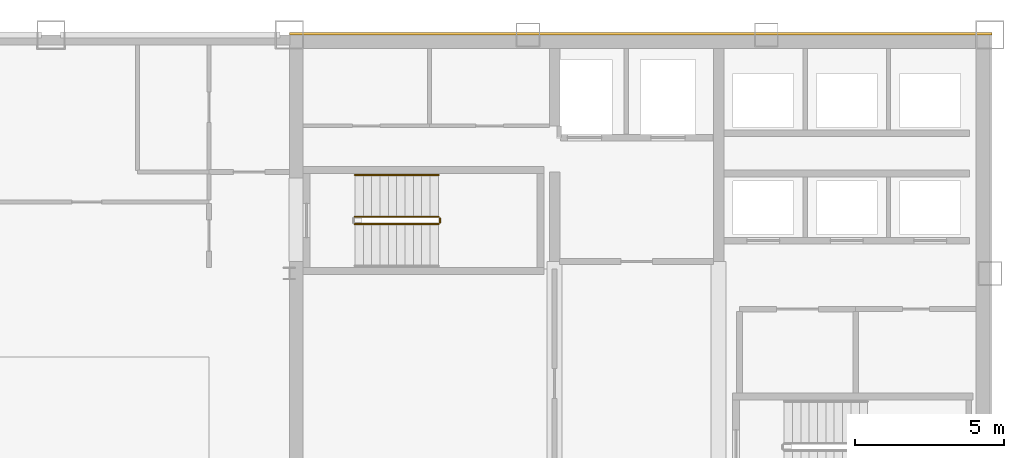
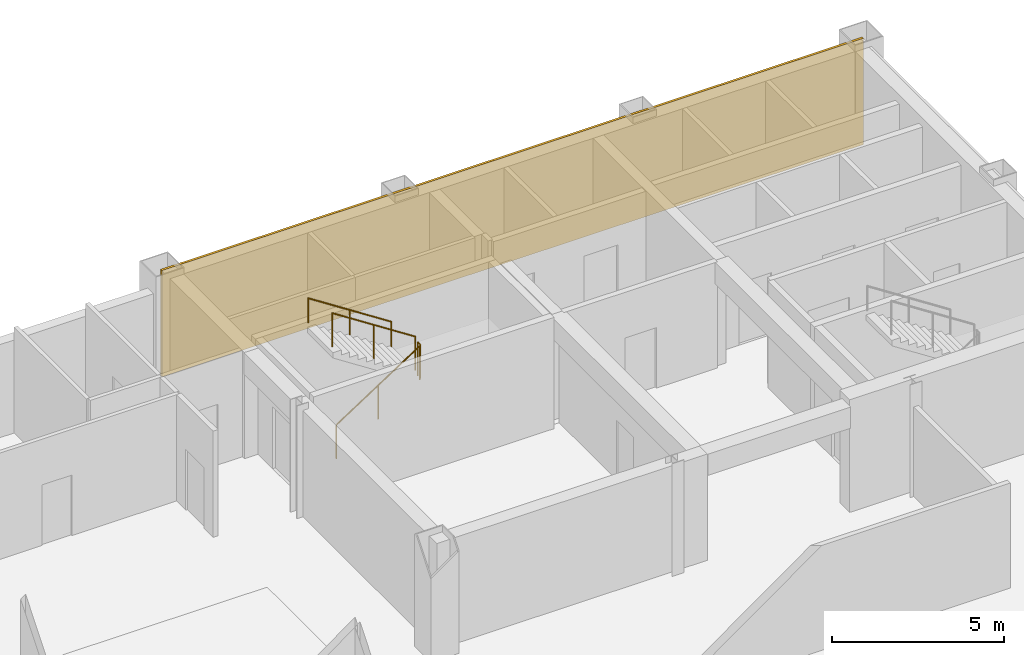
# One storey, part 10 of 10: 4 railings, 1 covering.
"""IFC4 building model written with IfcOpenShell, lengths in metres."""

from ifc_helpers import new_model, si_unit, direction, frame, origin, origin_2d, place, context, subcontext, project, spatial, rectangle, circle, extrude, material, layer, layer_set, type_object, element, save


model = new_model("IFC4")

# Units and contexts
model_context = context("Model", 3, precision=1e-05, world=origin(), true_north=direction((0.0, 1.0)))
body_context = subcontext(model_context, "Body", "Model", "MODEL_VIEW")
ifc_project = project(units=[si_unit("LENGTHUNIT", "METRE"), si_unit("AREAUNIT", "SQUARE_METRE"), si_unit("VOLUMEUNIT", "CUBIC_METRE"), si_unit("PLANEANGLEUNIT", "RADIAN"), si_unit("MASSUNIT", "GRAM", prefix="KILO")], contexts=[model_context])

# Site, building, storey
site_placement = place(None, origin())
site = spatial("IfcSite", under=ifc_project, at=site_placement, CompositionType="ELEMENT")
building_placement = place(site_placement, origin())
building = spatial("IfcBuilding", under=site, at=building_placement, Name="Qianrong Seaharbour Tower", CompositionType="ELEMENT")
storey_placement = place(building_placement, frame((0.0, 0.0, 217.800048828125)))
storey = spatial("IfcBuildingStorey", under=building, at=storey_placement, Name="L52", CompositionType="ELEMENT", Elevation=217.800048828125)

# Covering
ifc_material_1 = material(Name="Unitised red brick cladding on Precast concrete C45/55", Category="masonry")
ifc_layer = layer(ifc_material_1, 0.080078125)
ifc_layer_set = layer_set([ifc_layer], Name="Unitised red brick cladding on Precast concrete C45/55")
covering_type = type_object("IfcCoveringType", Name="COV-CLAD-RED-BRICK-80", PredefinedType="CLADDING", material=ifc_layer_set)
covering_placement = place(storey_placement, frame((52.2900390625, 52.0400390625, 0.0), z_axis=(0.0, 0.0, 1.0), x_axis=(1.0, 0.0, 0.0)))
element("IfcCovering", 1, at=covering_placement, inside=storey, type_object=covering_type, Name="L52 North Core Brick Veneer Cladding", PredefinedType="CLADDING", context=body_context, shape_type="SweptSolid", body=[
    extrude(rectangle(XDim=23.580078125, YDim=0.080078125, at=origin_2d()), origin(), (0.0, 0.0, 1.0), 3.77490234375),
])

# Railings
ifc_material_2 = material(Name="Galvanized painted steel SN400B stair guard", Category="steel")
railing_type_1 = type_object("IfcRailingType", Name="RAIL-STAIR-GUARD-1220", PredefinedType="GUARDRAIL", material=ifc_material_2)
railing_1_placement = place(storey_placement, frame((42.699951171875, 45.64990234375, 0.181884765625)))
element("IfcRailing", 2, at=railing_1_placement, inside=storey, type_object=railing_type_1, Name="L52 ST-1 stair guard 1", PredefinedType="GUARDRAIL", context=body_context, shape_type="SweptSolid", body=[
    extrude(circle(Radius=0.02392578125, at=origin_2d()), frame((0.0, 0.0, 1.19580078125), z_axis=(0.838705829183, 0.0, 0.544584733623), x_axis=(0.0, 1.0, 0.0)), (0.0, 0.0, 1.0), 3.338623046875),
    extrude(circle(Radius=0.02099609375, at=origin_2d()), origin(), (0.0, 0.0, 1.0), 1.171875),
    extrude(circle(Radius=0.02099609375, at=origin_2d()), frame((1.39990234375, 0.0, 0.9091796875)), (0.0, 0.0, 1.0), 1.171875),
    extrude(circle(Radius=0.02099609375, at=origin_2d()), frame((2.800048828125, 0.0, 1.818115234375)), (0.0, 0.0, 1.0), 1.171875),
])
railing_2_placement = place(storey_placement, frame((45.550048828125, 45.699951171875, 2.0)))
element("IfcRailing", 3, at=railing_2_placement, inside=storey, type_object=railing_type_1, Name="L52 ST-1 stair guard 2", PredefinedType="GUARDRAIL", context=body_context, shape_type="SweptSolid", body=[
    extrude(circle(Radius=0.02392578125, at=origin_2d()), frame((0.0, 0.0, 1.19580078125), z_axis=(0.0, 1.0, 0.0), x_axis=(-1.0, 0.0, 0.0)), (0.0, 0.0, 1.0), 0.150146484375),
    extrude(circle(Radius=0.02099609375, at=origin_2d()), origin(), (0.0, 0.0, 1.0), 1.171875),
    extrude(circle(Radius=0.02099609375, at=origin_2d()), frame((0.0, 0.150146484375, 0.0)), (0.0, 0.0, 1.0), 1.171875),
])
railing_3_placement = place(storey_placement, frame((45.5, 45.89990234375, 2.181884765625)))
element("IfcRailing", 4, at=railing_3_placement, inside=storey, type_object=railing_type_1, Name="L52 ST-1 stair guard 3", PredefinedType="GUARDRAIL", context=body_context, shape_type="SweptSolid", body=[
    extrude(circle(Radius=0.02392578125, at=origin_2d()), frame((0.0, 0.0, 1.19580078125), z_axis=(-0.838705829183, 0.0, 0.544584733623), x_axis=(0.0, -1.0, 0.0)), (0.0, 0.0, 1.0), 3.338623046875),
    extrude(circle(Radius=0.02099609375, at=origin_2d()), origin(), (0.0, 0.0, 1.0), 1.171875),
    extrude(circle(Radius=0.02099609375, at=origin_2d()), frame((-1.39990234375, 0.0, 0.9091796875)), (0.0, 0.0, 1.0), 1.171875),
    extrude(circle(Radius=0.02099609375, at=origin_2d()), frame((-2.800048828125, 0.0, 1.818115234375)), (0.0, 0.0, 1.0), 1.171875),
])
ifc_material_3 = material(Name="Stainless steel SUS316L continuous handrail", Category="steel")
railing_type_2 = type_object("IfcRailingType", Name="RAIL-STAIR-HANDRAIL-900", PredefinedType="HANDRAIL", material=ifc_material_3)
railing_4_placement = place(storey_placement, frame((45.5, 47.300048828125, 2.181884765625)))
element("IfcRailing", 5, at=railing_4_placement, inside=storey, type_object=railing_type_2, Name="L52 ST-1 stair handrail 2", PredefinedType="HANDRAIL", context=body_context, shape_type="SweptSolid", body=[
    extrude(circle(Radius=0.02392578125, at=origin_2d()), frame((0.0, 0.0, 0.8759765625), z_axis=(-0.838705829183, 0.0, 0.544584733623), x_axis=(0.0, -1.0, 0.0)), (0.0, 0.0, 1.0), 3.338623046875),
    extrude(circle(Radius=0.02099609375, at=origin_2d()), origin(), (0.0, 0.0, 1.0), 0.851806640625),
    extrude(circle(Radius=0.02099609375, at=origin_2d()), frame((-1.39990234375, 0.0, 0.9091796875)), (0.0, 0.0, 1.0), 0.851806640625),
    extrude(circle(Radius=0.02099609375, at=origin_2d()), frame((-2.800048828125, 0.0, 1.818115234375)), (0.0, 0.0, 1.0), 0.851806640625),
])

save(model, "model.ifc")
